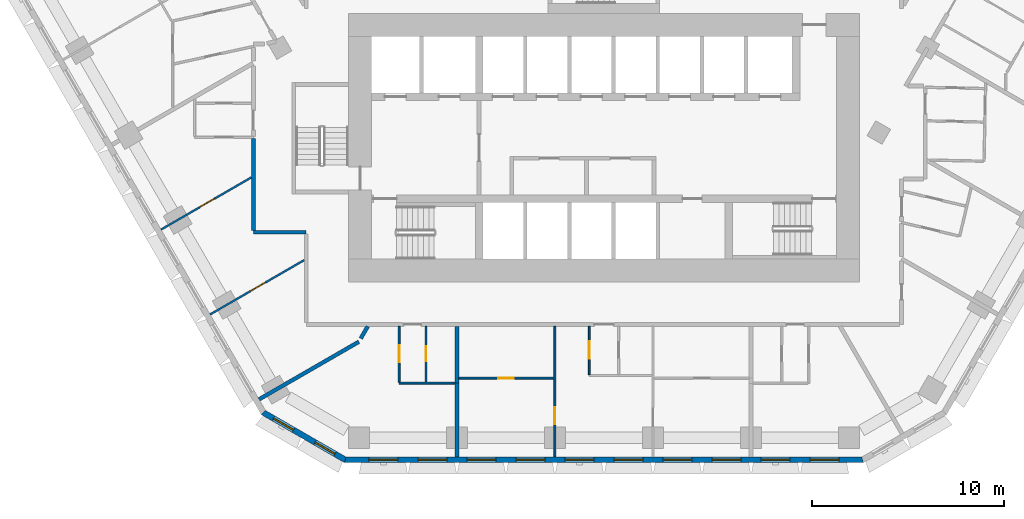
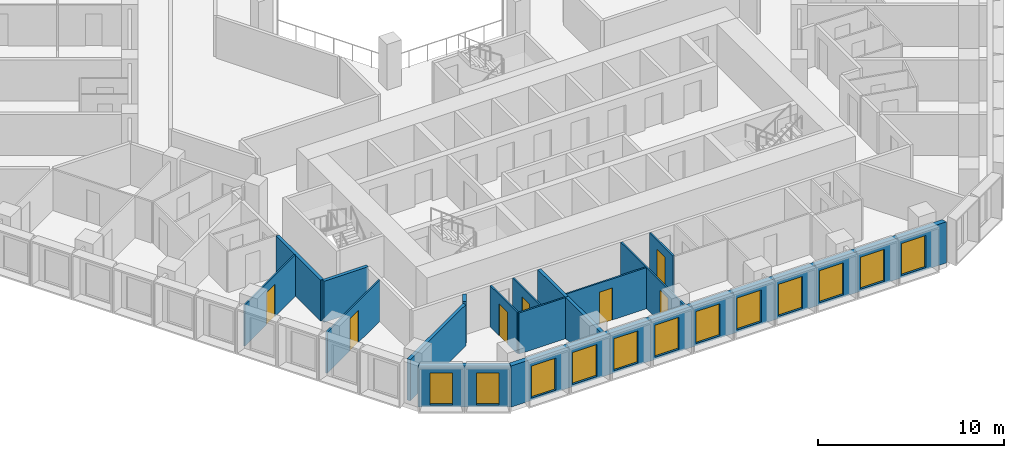
# One storey, part 3 of 21: 16 walls, 12 windows, 7 doors, 19 openings.
"""IFC4 building model written with IfcOpenShell, lengths in metres."""

from ifc_helpers import new_model, si_unit, direction, frame, frame_2d, origin, place, context, subcontext, project, spatial, polyline, rectangle, outline, extrude, material, layer, layer_set, type_object, element, fill, save


model = new_model("IFC4")

# Units and contexts
model_context = context("Model", 3, precision=1e-05, world=origin(), true_north=direction((0.0, 1.0)))
body_context = subcontext(model_context, "Body", "Model", "MODEL_VIEW")
ifc_project = project(units=[si_unit("LENGTHUNIT", "METRE"), si_unit("AREAUNIT", "SQUARE_METRE"), si_unit("VOLUMEUNIT", "CUBIC_METRE"), si_unit("PLANEANGLEUNIT", "RADIAN"), si_unit("MASSUNIT", "GRAM", prefix="KILO")], contexts=[model_context])

# Site, building, storey
site_placement = place(None, origin())
site = spatial("IfcSite", under=ifc_project, at=site_placement, CompositionType="ELEMENT")
building_placement = place(site_placement, origin())
building = spatial("IfcBuilding", under=site, at=building_placement, Name="Beryl Residences", CompositionType="ELEMENT")
storey_placement = place(building_placement, frame((0.0, 0.0, 41.39990234375)))
storey = spatial("IfcBuildingStorey", under=building, at=storey_placement, Name="L12", CompositionType="ELEMENT", Elevation=41.39990234375)

# Wall, openings, windows
ifc_material_1 = material(Name="Composite metal panel with mineral wool insulation")
ifc_layer_1 = layer(ifc_material_1, 0.300048828125)
ifc_layer_set_1 = layer_set([ifc_layer_1], Name="ES1 pale metal composite panel wall 300 mm")
wall_type_1 = type_object("IfcWallType", Name="ES1 pale metal composite panel wall 300 mm", PredefinedType="SOLIDWALL", material=ifc_layer_set_1)
wall_1_placement = place(storey_placement, frame((-17.764892578125, -25.77001953125, 0.0), z_axis=(0.0, 0.0, 1.0), x_axis=(0.866010750942, -0.50002537861, 0.0)))
wall_1 = element("IfcWall", 1, at=wall_1_placement, inside=storey, type_object=wall_type_1, Name="ES1 external wall L12 SW-S", PredefinedType="SOLIDWALL", context=body_context, shape_type="SweptSolid", body=[
    extrude(outline(polyline([(0.0, -0.14990234375), (4.999755859375, -0.14990234375), (4.91943359375, 0.14990234375), (0.080322265625, 0.14990234375), (0.0, -0.14990234375)])), origin(), (0.0, 0.0, 1.0), 2.7001953125),
])
opening_1_placement = place(wall_1_placement, frame((0.64990234375, 0.0, 0.14990234375)))
opening_1 = element("IfcOpeningElement", 2, at=opening_1_placement, cuts=wall_1, Name="Opening W2", PredefinedType="OPENING", context=body_context, shape_type="SweptSolid", body=[
    extrude(rectangle(XDim=1.199951171875, YDim=2.10009765625, at=frame_2d((0.60009765625, 1.050048828125))), frame((0.0, 0.159912109375, 0.0), z_axis=(0.0, -1.0, 0.0), x_axis=(1.0, 0.0, 0.0)), (0.0, 0.0, 1.0), 0.320068359375),
])
opening_2_placement = place(wall_1_placement, frame((3.14990234375, 0.0, 0.14990234375)))
opening_2 = element("IfcOpeningElement", 3, at=opening_2_placement, cuts=wall_1, Name="Opening W2", PredefinedType="OPENING", context=body_context, shape_type="SweptSolid", body=[
    extrude(rectangle(XDim=1.199951171875, YDim=2.10009765625, at=frame_2d((0.60009765625, 1.050048828125))), frame((0.0, 0.159912109375, 0.0), z_axis=(0.0, -1.0, 0.0), x_axis=(1.0, 0.0, 0.0)), (0.0, 0.0, 1.0), 0.320068359375),
])
ifc_material_2 = material(Name="Aluminium and clear glass", Category="aluminium")
window_type_1 = type_object("IfcWindowType", Name="W2 chamfer window 1200 x 2100 mm", PartitioningType="SINGLE_PANEL", PredefinedType="WINDOW", material=ifc_material_2)
window_1_placement = place(opening_1_placement, origin())
window_1 = element("IfcWindow", 4, at=window_1_placement, inside=storey, type_object=window_type_1, Name="W2 window L12 SW-S 1", OverallHeight=2.10009765625, OverallWidth=1.199951171875, PartitioningType="SINGLE_PANEL", PredefinedType="WINDOW", context=body_context, shape_type="SweptSolid", body=[
    extrude(rectangle(XDim=1.199951171875, YDim=2.10009765625, at=frame_2d((0.60009765625, 1.050048828125))), frame((0.0, 0.030029296875, 0.0), z_axis=(0.0, -1.0, 0.0), x_axis=(1.0, 0.0, 0.0)), (0.0, 0.0, 1.0), 0.06005859375),
])
fill(opening_1, window_1)
window_2_placement = place(opening_2_placement, origin())
window_2 = element("IfcWindow", 5, at=window_2_placement, inside=storey, type_object=window_type_1, Name="W2 window L12 SW-S 2", OverallHeight=2.10009765625, OverallWidth=1.199951171875, PartitioningType="SINGLE_PANEL", PredefinedType="WINDOW", context=body_context, shape_type="SweptSolid", body=[
    extrude(rectangle(XDim=1.199951171875, YDim=2.10009765625, at=frame_2d((0.60009765625, 1.050048828125))), frame((0.0, 0.030029296875, 0.0), z_axis=(0.0, -1.0, 0.0), x_axis=(1.0, 0.0, 0.0)), (0.0, 0.0, 1.0), 0.06005859375),
])
fill(opening_2, window_2)

wall_2_placement = place(storey_placement, frame((-13.510009765625, -28.25, 0.0), z_axis=(0.0, 0.0, 1.0), x_axis=(1.0, 0.0, 0.0)))
wall_2 = element("IfcWall", 6, at=wall_2_placement, inside=storey, type_object=wall_type_1, Name="ES1 external wall L12 S", PredefinedType="SOLIDWALL", context=body_context, shape_type="SweptSolid", body=[
    extrude(outline(polyline([(0.0, -0.14990234375), (27.02001953125, -0.14990234375), (26.939697265625, 0.14990234375), (0.080322265625, 0.14990234375), (0.0, -0.14990234375)])), origin(), (0.0, 0.0, 1.0), 2.7001953125),
])
opening_3_placement = place(wall_2_placement, frame((1.277099609375, 0.0, 0.14990234375)))
opening_3 = element("IfcOpeningElement", 7, at=opening_3_placement, cuts=wall_2, Name="Opening W1", PredefinedType="OPENING", context=body_context, shape_type="SweptSolid", body=[
    extrude(rectangle(XDim=1.5, YDim=2.10009765625, at=frame_2d((0.75, 1.050048828125))), frame((0.0, 0.159912109375, 0.0), z_axis=(0.0, -1.0, 0.0), x_axis=(1.0, 0.0, 0.0)), (0.0, 0.0, 1.0), 0.320068359375),
])
opening_4_placement = place(wall_2_placement, frame((3.8291015625, 0.0, 0.14990234375)))
opening_4 = element("IfcOpeningElement", 8, at=opening_4_placement, cuts=wall_2, Name="Opening W1", PredefinedType="OPENING", context=body_context, shape_type="SweptSolid", body=[
    extrude(rectangle(XDim=1.5, YDim=2.10009765625, at=frame_2d((0.75, 1.050048828125))), frame((0.0, 0.159912109375, 0.0), z_axis=(0.0, -1.0, 0.0), x_axis=(1.0, 0.0, 0.0)), (0.0, 0.0, 1.0), 0.320068359375),
])
opening_5_placement = place(wall_2_placement, frame((6.381103515625, 0.0, 0.14990234375)))
opening_5 = element("IfcOpeningElement", 9, at=opening_5_placement, cuts=wall_2, Name="Opening W1", PredefinedType="OPENING", context=body_context, shape_type="SweptSolid", body=[
    extrude(rectangle(XDim=1.5, YDim=2.10009765625, at=frame_2d((0.75, 1.050048828125))), frame((0.0, 0.159912109375, 0.0), z_axis=(0.0, -1.0, 0.0), x_axis=(1.0, 0.0, 0.0)), (0.0, 0.0, 1.0), 0.320068359375),
])
opening_6_placement = place(wall_2_placement, frame((8.93310546875, 0.0, 0.14990234375)))
opening_6 = element("IfcOpeningElement", 10, at=opening_6_placement, cuts=wall_2, Name="Opening W1", PredefinedType="OPENING", context=body_context, shape_type="SweptSolid", body=[
    extrude(rectangle(XDim=1.5, YDim=2.10009765625, at=frame_2d((0.75, 1.050048828125))), frame((0.0, 0.159912109375, 0.0), z_axis=(0.0, -1.0, 0.0), x_axis=(1.0, 0.0, 0.0)), (0.0, 0.0, 1.0), 0.320068359375),
])
opening_7_placement = place(wall_2_placement, frame((11.485107421875, 0.0, 0.14990234375)))
opening_7 = element("IfcOpeningElement", 11, at=opening_7_placement, cuts=wall_2, Name="Opening W1", PredefinedType="OPENING", context=body_context, shape_type="SweptSolid", body=[
    extrude(rectangle(XDim=1.5, YDim=2.10009765625, at=frame_2d((0.75, 1.050048828125))), frame((0.0, 0.159912109375, 0.0), z_axis=(0.0, -1.0, 0.0), x_axis=(1.0, 0.0, 0.0)), (0.0, 0.0, 1.0), 0.320068359375),
])
opening_8_placement = place(wall_2_placement, frame((14.037109375, 0.0, 0.14990234375)))
opening_8 = element("IfcOpeningElement", 12, at=opening_8_placement, cuts=wall_2, Name="Opening W1", PredefinedType="OPENING", context=body_context, shape_type="SweptSolid", body=[
    extrude(rectangle(XDim=1.5, YDim=2.10009765625, at=frame_2d((0.75, 1.050048828125))), frame((0.0, 0.159912109375, 0.0), z_axis=(0.0, -1.0, 0.0), x_axis=(1.0, 0.0, 0.0)), (0.0, 0.0, 1.0), 0.320068359375),
])
opening_9_placement = place(wall_2_placement, frame((16.589111328125, 0.0, 0.14990234375)))
opening_9 = element("IfcOpeningElement", 13, at=opening_9_placement, cuts=wall_2, Name="Opening W1", PredefinedType="OPENING", context=body_context, shape_type="SweptSolid", body=[
    extrude(rectangle(XDim=1.5, YDim=2.10009765625, at=frame_2d((0.75, 1.050048828125))), frame((0.0, 0.159912109375, 0.0), z_axis=(0.0, -1.0, 0.0), x_axis=(1.0, 0.0, 0.0)), (0.0, 0.0, 1.0), 0.320068359375),
])
opening_10_placement = place(wall_2_placement, frame((19.14111328125, 0.0, 0.14990234375)))
opening_10 = element("IfcOpeningElement", 14, at=opening_10_placement, cuts=wall_2, Name="Opening W1", PredefinedType="OPENING", context=body_context, shape_type="SweptSolid", body=[
    extrude(rectangle(XDim=1.5, YDim=2.10009765625, at=frame_2d((0.75, 1.050048828125))), frame((0.0, 0.159912109375, 0.0), z_axis=(0.0, -1.0, 0.0), x_axis=(1.0, 0.0, 0.0)), (0.0, 0.0, 1.0), 0.320068359375),
])
opening_11_placement = place(wall_2_placement, frame((21.693115234375, 0.0, 0.14990234375)))
opening_11 = element("IfcOpeningElement", 15, at=opening_11_placement, cuts=wall_2, Name="Opening W1", PredefinedType="OPENING", context=body_context, shape_type="SweptSolid", body=[
    extrude(rectangle(XDim=1.5, YDim=2.10009765625, at=frame_2d((0.75, 1.050048828125))), frame((0.0, 0.159912109375, 0.0), z_axis=(0.0, -1.0, 0.0), x_axis=(1.0, 0.0, 0.0)), (0.0, 0.0, 1.0), 0.320068359375),
])
opening_12_placement = place(wall_2_placement, frame((24.2451171875, 0.0, 0.14990234375)))
opening_12 = element("IfcOpeningElement", 16, at=opening_12_placement, cuts=wall_2, Name="Opening W1", PredefinedType="OPENING", context=body_context, shape_type="SweptSolid", body=[
    extrude(rectangle(XDim=1.5, YDim=2.10009765625, at=frame_2d((0.75, 1.050048828125))), frame((0.0, 0.159912109375, 0.0), z_axis=(0.0, -1.0, 0.0), x_axis=(1.0, 0.0, 0.0)), (0.0, 0.0, 1.0), 0.320068359375),
])
ifc_material_3 = material(Name="Aluminium and clear glass", Category="aluminium")
window_type_2 = type_object("IfcWindowType", Name="W1 cell window 1500 x 2100 mm", PartitioningType="SINGLE_PANEL", PredefinedType="WINDOW", material=ifc_material_3)
window_3_placement = place(opening_3_placement, origin())
window_3 = element("IfcWindow", 17, at=window_3_placement, inside=storey, type_object=window_type_2, Name="W1 window L12 S 1", OverallHeight=2.10009765625, OverallWidth=1.5, PartitioningType="SINGLE_PANEL", PredefinedType="WINDOW", context=body_context, shape_type="SweptSolid", body=[
    extrude(rectangle(XDim=1.5, YDim=2.10009765625, at=frame_2d((0.75, 1.050048828125))), frame((0.0, 0.030029296875, 0.0), z_axis=(0.0, -1.0, 0.0), x_axis=(1.0, 0.0, 0.0)), (0.0, 0.0, 1.0), 0.06005859375),
])
fill(opening_3, window_3)
window_4_placement = place(opening_4_placement, origin())
window_4 = element("IfcWindow", 18, at=window_4_placement, inside=storey, type_object=window_type_2, Name="W1 window L12 S 2", OverallHeight=2.10009765625, OverallWidth=1.5, PartitioningType="SINGLE_PANEL", PredefinedType="WINDOW", context=body_context, shape_type="SweptSolid", body=[
    extrude(rectangle(XDim=1.5, YDim=2.10009765625, at=frame_2d((0.75, 1.050048828125))), frame((0.0, 0.030029296875, 0.0), z_axis=(0.0, -1.0, 0.0), x_axis=(1.0, 0.0, 0.0)), (0.0, 0.0, 1.0), 0.06005859375),
])
fill(opening_4, window_4)
window_5_placement = place(opening_5_placement, origin())
window_5 = element("IfcWindow", 19, at=window_5_placement, inside=storey, type_object=window_type_2, Name="W1 window L12 S 3", OverallHeight=2.10009765625, OverallWidth=1.5, PartitioningType="SINGLE_PANEL", PredefinedType="WINDOW", context=body_context, shape_type="SweptSolid", body=[
    extrude(rectangle(XDim=1.5, YDim=2.10009765625, at=frame_2d((0.75, 1.050048828125))), frame((0.0, 0.030029296875, 0.0), z_axis=(0.0, -1.0, 0.0), x_axis=(1.0, 0.0, 0.0)), (0.0, 0.0, 1.0), 0.06005859375),
])
fill(opening_5, window_5)
window_6_placement = place(opening_6_placement, origin())
window_6 = element("IfcWindow", 20, at=window_6_placement, inside=storey, type_object=window_type_2, Name="W1 window L12 S 4", OverallHeight=2.10009765625, OverallWidth=1.5, PartitioningType="SINGLE_PANEL", PredefinedType="WINDOW", context=body_context, shape_type="SweptSolid", body=[
    extrude(rectangle(XDim=1.5, YDim=2.10009765625, at=frame_2d((0.75, 1.050048828125))), frame((0.0, 0.030029296875, 0.0), z_axis=(0.0, -1.0, 0.0), x_axis=(1.0, 0.0, 0.0)), (0.0, 0.0, 1.0), 0.06005859375),
])
fill(opening_6, window_6)
window_7_placement = place(opening_7_placement, origin())
window_7 = element("IfcWindow", 21, at=window_7_placement, inside=storey, type_object=window_type_2, Name="W1 window L12 S 5", OverallHeight=2.10009765625, OverallWidth=1.5, PartitioningType="SINGLE_PANEL", PredefinedType="WINDOW", context=body_context, shape_type="SweptSolid", body=[
    extrude(rectangle(XDim=1.5, YDim=2.10009765625, at=frame_2d((0.75, 1.050048828125))), frame((0.0, 0.030029296875, 0.0), z_axis=(0.0, -1.0, 0.0), x_axis=(1.0, 0.0, 0.0)), (0.0, 0.0, 1.0), 0.06005859375),
])
fill(opening_7, window_7)
window_8_placement = place(opening_8_placement, origin())
window_8 = element("IfcWindow", 22, at=window_8_placement, inside=storey, type_object=window_type_2, Name="W1 window L12 S 6", OverallHeight=2.10009765625, OverallWidth=1.5, PartitioningType="SINGLE_PANEL", PredefinedType="WINDOW", context=body_context, shape_type="SweptSolid", body=[
    extrude(rectangle(XDim=1.5, YDim=2.10009765625, at=frame_2d((0.75, 1.050048828125))), frame((0.0, 0.030029296875, 0.0), z_axis=(0.0, -1.0, 0.0), x_axis=(1.0, 0.0, 0.0)), (0.0, 0.0, 1.0), 0.06005859375),
])
fill(opening_8, window_8)
window_9_placement = place(opening_9_placement, origin())
window_9 = element("IfcWindow", 23, at=window_9_placement, inside=storey, type_object=window_type_2, Name="W1 window L12 S 7", OverallHeight=2.10009765625, OverallWidth=1.5, PartitioningType="SINGLE_PANEL", PredefinedType="WINDOW", context=body_context, shape_type="SweptSolid", body=[
    extrude(rectangle(XDim=1.5, YDim=2.10009765625, at=frame_2d((0.75, 1.050048828125))), frame((0.0, 0.030029296875, 0.0), z_axis=(0.0, -1.0, 0.0), x_axis=(1.0, 0.0, 0.0)), (0.0, 0.0, 1.0), 0.06005859375),
])
fill(opening_9, window_9)
window_10_placement = place(opening_10_placement, origin())
window_10 = element("IfcWindow", 24, at=window_10_placement, inside=storey, type_object=window_type_2, Name="W1 window L12 S 8", OverallHeight=2.10009765625, OverallWidth=1.5, PartitioningType="SINGLE_PANEL", PredefinedType="WINDOW", context=body_context, shape_type="SweptSolid", body=[
    extrude(rectangle(XDim=1.5, YDim=2.10009765625, at=frame_2d((0.75, 1.050048828125))), frame((0.0, 0.030029296875, 0.0), z_axis=(0.0, -1.0, 0.0), x_axis=(1.0, 0.0, 0.0)), (0.0, 0.0, 1.0), 0.06005859375),
])
fill(opening_10, window_10)
window_11_placement = place(opening_11_placement, origin())
window_11 = element("IfcWindow", 25, at=window_11_placement, inside=storey, type_object=window_type_2, Name="W1 window L12 S 9", OverallHeight=2.10009765625, OverallWidth=1.5, PartitioningType="SINGLE_PANEL", PredefinedType="WINDOW", context=body_context, shape_type="SweptSolid", body=[
    extrude(rectangle(XDim=1.5, YDim=2.10009765625, at=frame_2d((0.75, 1.050048828125))), frame((0.0, 0.030029296875, 0.0), z_axis=(0.0, -1.0, 0.0), x_axis=(1.0, 0.0, 0.0)), (0.0, 0.0, 1.0), 0.06005859375),
])
fill(opening_11, window_11)
window_12_placement = place(opening_12_placement, origin())
window_12 = element("IfcWindow", 26, at=window_12_placement, inside=storey, type_object=window_type_2, Name="W1 window L12 S 10", OverallHeight=2.10009765625, OverallWidth=1.5, PartitioningType="SINGLE_PANEL", PredefinedType="WINDOW", context=body_context, shape_type="SweptSolid", body=[
    extrude(rectangle(XDim=1.5, YDim=2.10009765625, at=frame_2d((0.75, 1.050048828125))), frame((0.0, 0.030029296875, 0.0), z_axis=(0.0, -1.0, 0.0), x_axis=(1.0, 0.0, 0.0)), (0.0, 0.0, 1.0), 0.06005859375),
])
fill(opening_12, window_12)

# Wall, opening, door
ifc_material_4 = material(Name="Gypsum board partition on steel studs", Category="steel")
ifc_layer_2 = layer(ifc_material_4, 0.10009765625)
ifc_layer_set_2 = layer_set([ifc_layer_2], Name="PT1 partition 100 mm gypsum board on steel studs")
wall_type_2 = type_object("IfcWallType", Name="PT1 partition 100 mm gypsum board on steel studs", PredefinedType="PARTITIONING", material=ifc_layer_set_2)
wall_3_placement = place(storey_placement, frame((-0.764892578125, -21.300048828125, 0.0), z_axis=(0.0, 0.0, 1.0), x_axis=(0.0, -1.0, 0.0)))
wall_3 = element("IfcWall", 27, at=wall_3_placement, inside=storey, type_object=wall_type_2, Name="Wall PT1 L12 010", PredefinedType="PARTITIONING", context=body_context, shape_type="SweptSolid", body=[
    extrude(rectangle(XDim=2.509033203125, YDim=0.10009765625, at=frame_2d((1.25439453125, 0.0))), origin(), (0.0, 0.0, 1.0), 2.7001953125),
])
opening_13_placement = place(wall_3_placement, frame((0.780029296875, 0.0, 0.0)))
opening_13 = element("IfcOpeningElement", 28, at=opening_13_placement, cuts=wall_3, Name="Opening D0227", PredefinedType="OPENING", context=body_context, shape_type="SweptSolid", body=[
    extrude(rectangle(XDim=0.89990234375, YDim=2.10009765625, at=frame_2d((0.449951171875, 1.050048828125))), frame((0.0, 0.06005859375, 0.0), z_axis=(0.0, -1.0, 0.0), x_axis=(1.0, 0.0, 0.0)), (0.0, 0.0, 1.0), 0.1201171875),
])
ifc_material_5 = material(Name="Timber door leaf", Category="wood")
door_type_1 = type_object("IfcDoorType", Name="D2 room door 900 x 2100 mm", OperationType="SINGLE_SWING_LEFT", PredefinedType="DOOR", material=ifc_material_5)
door_1_placement = place(opening_13_placement, origin())
door_1 = element("IfcDoor", 29, at=door_1_placement, inside=storey, type_object=door_type_1, Name="Door D0227 L12 001", OperationType="SINGLE_SWING_LEFT", OverallHeight=2.10009765625, OverallWidth=0.89990234375, PredefinedType="DOOR", context=body_context, shape_type="SweptSolid", body=[
    extrude(rectangle(XDim=0.89990234375, YDim=2.10009765625, at=frame_2d((0.449951171875, 1.050048828125))), frame((0.0, 0.02490234375, 0.0), z_axis=(0.0, -1.0, 0.0), x_axis=(1.0, 0.0, 0.0)), (0.0, 0.0, 1.0), 0.050048828125),
])
fill(opening_13, door_1)

wall_4_placement = place(storey_placement, frame((-10.6650390625, -21.300048828125, 0.0), z_axis=(0.0, 0.0, 1.0), x_axis=(0.0, -1.0, 0.0)))
wall_4 = element("IfcWall", 30, at=wall_4_placement, inside=storey, type_object=wall_type_2, Name="Wall PT1 L12 011", PredefinedType="PARTITIONING", context=body_context, shape_type="SweptSolid", body=[
    extrude(rectangle(XDim=2.908935546875, YDim=0.10009765625, at=frame_2d((1.45458984375, 0.0))), origin(), (0.0, 0.0, 1.0), 2.7001953125),
])
opening_14_placement = place(wall_4_placement, frame((0.97998046875, 0.0, 0.0)))
opening_14 = element("IfcOpeningElement", 31, at=opening_14_placement, cuts=wall_4, Name="Opening D0224", PredefinedType="OPENING", context=body_context, shape_type="SweptSolid", body=[
    extrude(rectangle(XDim=0.89990234375, YDim=2.10009765625, at=frame_2d((0.449951171875, 1.050048828125))), frame((0.0, 0.06005859375, 0.0), z_axis=(0.0, -1.0, 0.0), x_axis=(1.0, 0.0, 0.0)), (0.0, 0.0, 1.0), 0.1201171875),
])
door_2_placement = place(opening_14_placement, origin())
door_2 = element("IfcDoor", 32, at=door_2_placement, inside=storey, type_object=door_type_1, Name="Door D0224 L12 001", OperationType="SINGLE_SWING_RIGHT", OverallHeight=2.10009765625, OverallWidth=0.89990234375, PredefinedType="DOOR", context=body_context, shape_type="SweptSolid", body=[
    extrude(rectangle(XDim=0.89990234375, YDim=2.10009765625, at=frame_2d((0.449951171875, 1.050048828125))), frame((0.0, 0.02490234375, 0.0), z_axis=(0.0, -1.0, 0.0), x_axis=(1.0, 0.0, 0.0)), (0.0, 0.0, 1.0), 0.050048828125),
])
fill(opening_14, door_2)

wall_5_placement = place(storey_placement, frame((-7.554931640625, -24.0, 0.0), z_axis=(0.0, 0.0, 1.0), x_axis=(1.0, 0.0, 0.0)))
wall_5 = element("IfcWall", 33, at=wall_5_placement, inside=storey, type_object=wall_type_2, Name="Wall PT1 L12 031", PredefinedType="PARTITIONING", context=body_context, shape_type="SweptSolid", body=[
    extrude(rectangle(XDim=4.953857421875, YDim=0.10009765625, at=frame_2d((2.47705078125, 0.0))), origin(), (0.0, 0.0, 1.0), 2.7001953125),
])
opening_15_placement = place(wall_5_placement, frame((2.052001953125, 0.0, 0.0)))
opening_15 = element("IfcOpeningElement", 34, at=opening_15_placement, cuts=wall_5, Name="Opening D0231", PredefinedType="OPENING", context=body_context, shape_type="SweptSolid", body=[
    extrude(rectangle(XDim=0.800048828125, YDim=2.10009765625, at=frame_2d((0.39990234375, 1.050048828125))), frame((0.0, 0.06005859375, 0.0), z_axis=(0.0, -1.0, 0.0), x_axis=(1.0, 0.0, 0.0)), (0.0, 0.0, 1.0), 0.1201171875),
])
ifc_material_6 = material(Name="Timber door leaf", Category="wood")
door_type_2 = type_object("IfcDoorType", Name="D3 bathroom door 800 x 2100 mm", OperationType="SINGLE_SWING_LEFT", PredefinedType="DOOR", material=ifc_material_6)
door_3_placement = place(opening_15_placement, origin())
door_3 = element("IfcDoor", 35, at=door_3_placement, inside=storey, type_object=door_type_2, Name="Door D0231 L12 001", OperationType="SINGLE_SWING_LEFT", OverallHeight=2.10009765625, OverallWidth=0.800048828125, PredefinedType="DOOR", context=body_context, shape_type="SweptSolid", body=[
    extrude(rectangle(XDim=0.800048828125, YDim=2.10009765625, at=frame_2d((0.39990234375, 1.050048828125))), frame((0.0, 0.02490234375, 0.0), z_axis=(0.0, -1.0, 0.0), x_axis=(1.0, 0.0, 0.0)), (0.0, 0.0, 1.0), 0.050048828125),
])
fill(opening_15, door_3)

# Wall
wall_6_placement = place(storey_placement, frame((-10.6640625, -24.260009765625, 0.0), z_axis=(0.0, 0.0, 1.0), x_axis=(1.0, 0.0, 0.0)))
element("IfcWall", 36, at=wall_6_placement, inside=storey, type_object=wall_type_2, Name="Wall PT1 L12 033", PredefinedType="PARTITIONING", context=body_context, shape_type="SweptSolid", body=[
    extrude(rectangle(XDim=2.9091796875, YDim=0.10009765625, at=frame_2d((1.45458984375, 0.0))), origin(), (0.0, 0.0, 1.0), 2.7001953125),
])

# Wall, opening, door
wall_7_placement = place(storey_placement, frame((-9.264892578125, -24.2099609375, 0.0), z_axis=(0.0, 0.0, 1.0), x_axis=(0.0, 1.0, 0.0)))
wall_7 = element("IfcWall", 37, at=wall_7_placement, inside=storey, type_object=wall_type_2, Name="Wall PT1 L12 058", PredefinedType="PARTITIONING", context=body_context, shape_type="SweptSolid", body=[
    extrude(rectangle(XDim=2.909912109375, YDim=0.10009765625, at=frame_2d((1.455078125, 0.0))), origin(), (0.0, 0.0, 1.0), 2.7001953125),
])
opening_16_placement = place(wall_7_placement, frame((1.080078125, 0.0, 0.0)))
opening_16 = element("IfcOpeningElement", 38, at=opening_16_placement, cuts=wall_7, Name="Opening D0225", PredefinedType="OPENING", context=body_context, shape_type="SweptSolid", body=[
    extrude(rectangle(XDim=0.800048828125, YDim=2.10009765625, at=frame_2d((0.39990234375, 1.050048828125))), frame((0.0, 0.06005859375, 0.0), z_axis=(0.0, -1.0, 0.0), x_axis=(1.0, 0.0, 0.0)), (0.0, 0.0, 1.0), 0.1201171875),
])
door_4_placement = place(opening_16_placement, origin())
door_4 = element("IfcDoor", 39, at=door_4_placement, inside=storey, type_object=door_type_2, Name="Door D0225 L12 001", OperationType="SINGLE_SWING_LEFT", OverallHeight=2.10009765625, OverallWidth=0.800048828125, PredefinedType="DOOR", context=body_context, shape_type="SweptSolid", body=[
    extrude(rectangle(XDim=0.800048828125, YDim=2.10009765625, at=frame_2d((0.39990234375, 1.050048828125))), frame((0.0, 0.02490234375, 0.0), z_axis=(0.0, -1.0, 0.0), x_axis=(1.0, 0.0, 0.0)), (0.0, 0.0, 1.0), 0.050048828125),
])
fill(opening_16, door_4)

wall_8_placement = place(storey_placement, frame((-2.551025390625, -28.10009765625, 0.0), z_axis=(0.0, 0.0, 1.0), x_axis=(0.0, 1.0, 0.0)))
wall_8 = element("IfcWall", 40, at=wall_8_placement, inside=storey, type_object=wall_type_2, Name="Wall PT1 L12 061", PredefinedType="PARTITIONING", context=body_context, shape_type="SweptSolid", body=[
    extrude(rectangle(XDim=6.800048828125, YDim=0.10009765625, at=frame_2d((3.39990234375, 0.0))), origin(), (0.0, 0.0, 1.0), 2.7001953125),
])
opening_17_placement = place(wall_8_placement, frame((1.699951171875, 0.0, 0.0)))
opening_17 = element("IfcOpeningElement", 41, at=opening_17_placement, cuts=wall_8, Name="Opening D0230", PredefinedType="OPENING", context=body_context, shape_type="SweptSolid", body=[
    extrude(rectangle(XDim=0.89990234375, YDim=2.10009765625, at=frame_2d((0.449951171875, 1.050048828125))), frame((0.0, 0.06005859375, 0.0), z_axis=(0.0, -1.0, 0.0), x_axis=(1.0, 0.0, 0.0)), (0.0, 0.0, 1.0), 0.1201171875),
])
door_5_placement = place(opening_17_placement, origin())
door_5 = element("IfcDoor", 42, at=door_5_placement, inside=storey, type_object=door_type_1, Name="Door D0230 L12 001", OperationType="SINGLE_SWING_RIGHT", OverallHeight=2.10009765625, OverallWidth=0.89990234375, PredefinedType="DOOR", context=body_context, shape_type="SweptSolid", body=[
    extrude(rectangle(XDim=0.89990234375, YDim=2.10009765625, at=frame_2d((0.449951171875, 1.050048828125))), frame((0.0, 0.02490234375, 0.0), z_axis=(0.0, -1.0, 0.0), x_axis=(1.0, 0.0, 0.0)), (0.0, 0.0, 1.0), 0.050048828125),
])
fill(opening_17, door_5)

wall_9_placement = place(storey_placement, frame((-20.507080078125, -20.680908203125, 0.0), z_axis=(0.0, 0.0, 1.0), x_axis=(0.866028446103, 0.499994730513, 0.0)))
wall_9 = element("IfcWall", 43, at=wall_9_placement, inside=storey, type_object=wall_type_2, Name="Wall PT1 L12 064", PredefinedType="PARTITIONING", context=body_context, shape_type="SweptSolid", body=[
    extrude(rectangle(XDim=5.666015625, YDim=0.10009765625, at=frame_2d((2.8330078125, 0.0))), origin(), (0.0, 0.0, 1.0), 2.7001953125),
])
opening_18_placement = place(wall_9_placement, frame((2.43994140625, 0.0, 0.0)))
opening_18 = element("IfcOpeningElement", 44, at=opening_18_placement, cuts=wall_9, Name="Opening D0222", PredefinedType="OPENING", context=body_context, shape_type="SweptSolid", body=[
    extrude(rectangle(XDim=0.89990234375, YDim=2.10009765625, at=frame_2d((0.449951171875, 1.050048828125))), frame((0.0, 0.06005859375, 0.0), z_axis=(0.0, -1.0, 0.0), x_axis=(1.0, 0.0, 0.0)), (0.0, 0.0, 1.0), 0.1201171875),
])
door_6_placement = place(opening_18_placement, origin())
door_6 = element("IfcDoor", 45, at=door_6_placement, inside=storey, type_object=door_type_1, Name="Door D0222 L12 001", OperationType="SINGLE_SWING_RIGHT", OverallHeight=2.10009765625, OverallWidth=0.89990234375, PredefinedType="DOOR", context=body_context, shape_type="SweptSolid", body=[
    extrude(rectangle(XDim=0.89990234375, YDim=2.10009765625, at=frame_2d((0.449951171875, 1.050048828125))), frame((0.0, 0.02490234375, 0.0), z_axis=(0.0, -1.0, 0.0), x_axis=(1.0, 0.0, 0.0)), (0.0, 0.0, 1.0), 0.050048828125),
])
fill(opening_18, door_6)

wall_10_placement = place(storey_placement, frame((-23.05908203125, -16.260986328125, 0.0), z_axis=(0.0, 0.0, 1.0), x_axis=(0.866004639177, 0.500035963631, 0.0)))
wall_10 = element("IfcWall", 46, at=wall_10_placement, inside=storey, type_object=wall_type_2, Name="Wall PT1 L12 066", PredefinedType="PARTITIONING", context=body_context, shape_type="SweptSolid", body=[
    extrude(rectangle(XDim=5.4375, YDim=0.10009765625, at=frame_2d((2.71875, 0.0))), origin(), (0.0, 0.0, 1.0), 2.7001953125),
])
opening_19_placement = place(wall_10_placement, frame((2.325927734375, 0.0, 0.0)))
opening_19 = element("IfcOpeningElement", 47, at=opening_19_placement, cuts=wall_10, Name="Opening D0221", PredefinedType="OPENING", context=body_context, shape_type="SweptSolid", body=[
    extrude(rectangle(XDim=0.89990234375, YDim=2.10009765625, at=frame_2d((0.449951171875, 1.050048828125))), frame((0.0, 0.06005859375, 0.0), z_axis=(0.0, -1.0, 0.0), x_axis=(1.0, 0.0, 0.0)), (0.0, 0.0, 1.0), 0.1201171875),
])
door_7_placement = place(opening_19_placement, origin())
door_7 = element("IfcDoor", 48, at=door_7_placement, inside=storey, type_object=door_type_1, Name="Door D0221 L12 001", OperationType="SINGLE_SWING_LEFT", OverallHeight=2.10009765625, OverallWidth=0.89990234375, PredefinedType="DOOR", context=body_context, shape_type="SweptSolid", body=[
    extrude(rectangle(XDim=0.89990234375, YDim=2.10009765625, at=frame_2d((0.449951171875, 1.050048828125))), frame((0.0, 0.02490234375, 0.0), z_axis=(0.0, -1.0, 0.0), x_axis=(1.0, 0.0, 0.0)), (0.0, 0.0, 1.0), 0.050048828125),
])
fill(opening_19, door_7)

# Walls
ifc_material_7 = material(Name="Acoustic double stud gypsum board wall")
ifc_layer_3 = layer(ifc_material_7, 0.199951171875)
ifc_layer_set_3 = layer_set([ifc_layer_3], Name="PT3 party wall 200 mm acoustic double stud")
wall_type_3 = type_object("IfcWallType", Name="PT3 party wall 200 mm acoustic double stud", PredefinedType="PARTITIONING", material=ifc_layer_set_3)
wall_11_placement = place(storey_placement, frame((-7.655029296875, -24.260009765625, 0.0), z_axis=(0.0, 0.0, 1.0), x_axis=(0.0, -1.0, 0.0)))
element("IfcWall", 49, at=wall_11_placement, inside=storey, type_object=wall_type_3, Name="Wall PT3 L12 003", PredefinedType="PARTITIONING", context=body_context, shape_type="SweptSolid", body=[
    extrude(rectangle(XDim=3.840087890625, YDim=0.199951171875, at=frame_2d((1.919921875, 0.0))), origin(), (0.0, 0.0, 1.0), 2.7001953125),
])
wall_12_placement = place(storey_placement, frame((-12.660888671875, -21.928955078125, 0.0), z_axis=(0.0, 0.0, 1.0), x_axis=(0.499683639304, 0.866207977689, 0.0)))
element("IfcWall", 50, at=wall_12_placement, inside=storey, type_object=wall_type_3, Name="Wall PT3 L12 016", PredefinedType="PARTITIONING", context=body_context, shape_type="SweptSolid", body=[
    extrude(rectangle(XDim=0.72607421875, YDim=0.199951171875, at=frame_2d((0.363037109375, 0.0))), origin(), (0.0, 0.0, 1.0), 2.7001953125),
])
wall_13_placement = place(storey_placement, frame((-7.655029296875, -24.260009765625, 0.0), z_axis=(0.0, 0.0, 1.0), x_axis=(0.0, 1.0, 0.0)))
element("IfcWall", 51, at=wall_13_placement, inside=storey, type_object=wall_type_3, Name="Wall PT3 L12 020", PredefinedType="PARTITIONING", context=body_context, shape_type="SweptSolid", body=[
    extrude(rectangle(XDim=2.9599609375, YDim=0.199951171875, at=frame_2d((1.47998046875, 0.0))), origin(), (0.0, 0.0, 1.0), 2.7001953125),
])
wall_14_placement = place(storey_placement, frame((-17.955078125, -25.10107421875, 0.0), z_axis=(0.0, 0.0, 1.0), x_axis=(0.866080519133, 0.499904525262, 0.0)))
element("IfcWall", 52, at=wall_14_placement, inside=storey, type_object=wall_type_3, Name="Wall PT3 L12 024", PredefinedType="PARTITIONING", context=body_context, shape_type="SweptSolid", body=[
    extrude(rectangle(XDim=5.997314453125, YDim=0.199951171875, at=frame_2d((2.99853515625, 0.0))), origin(), (0.0, 0.0, 1.0), 2.7001953125),
])
ifc_material_8 = material(Name="Double stud gypsum board wall")
ifc_layer_4 = layer(ifc_material_8, 0.199951171875)
ifc_layer_set_4 = layer_set([ifc_layer_4], Name="PT4 corridor wall 200 mm double stud")
wall_type_4 = type_object("IfcWallType", Name="PT4 corridor wall 200 mm double stud", PredefinedType="PARTITIONING", material=ifc_layer_set_4)
wall_15_placement = place(storey_placement, frame((-18.25, -11.507080078125, 0.0), z_axis=(0.0, 0.0, 1.0), x_axis=(0.0, -1.0, 0.0)))
element("IfcWall", 53, at=wall_15_placement, inside=storey, type_object=wall_type_4, Name="Wall PT4 L12 008", PredefinedType="PARTITIONING", context=body_context, shape_type="SweptSolid", body=[
    extrude(rectangle(XDim=4.7919921875, YDim=0.199951171875, at=frame_2d((2.39599609375, 0.0))), origin(), (0.0, 0.0, 1.0), 2.7001953125),
])
wall_16_placement = place(storey_placement, frame((-18.2490234375, -16.39990234375, 0.0), z_axis=(0.0, 0.0, 1.0), x_axis=(1.0, 0.0, 0.0)))
element("IfcWall", 54, at=wall_16_placement, inside=storey, type_object=wall_type_4, Name="Wall PT4 L12 013", PredefinedType="PARTITIONING", context=body_context, shape_type="SweptSolid", body=[
    extrude(rectangle(XDim=2.7490234375, YDim=0.199951171875, at=frame_2d((1.37451171875, 0.0))), origin(), (0.0, 0.0, 1.0), 2.7001953125),
])

save(model, "model.ifc")
